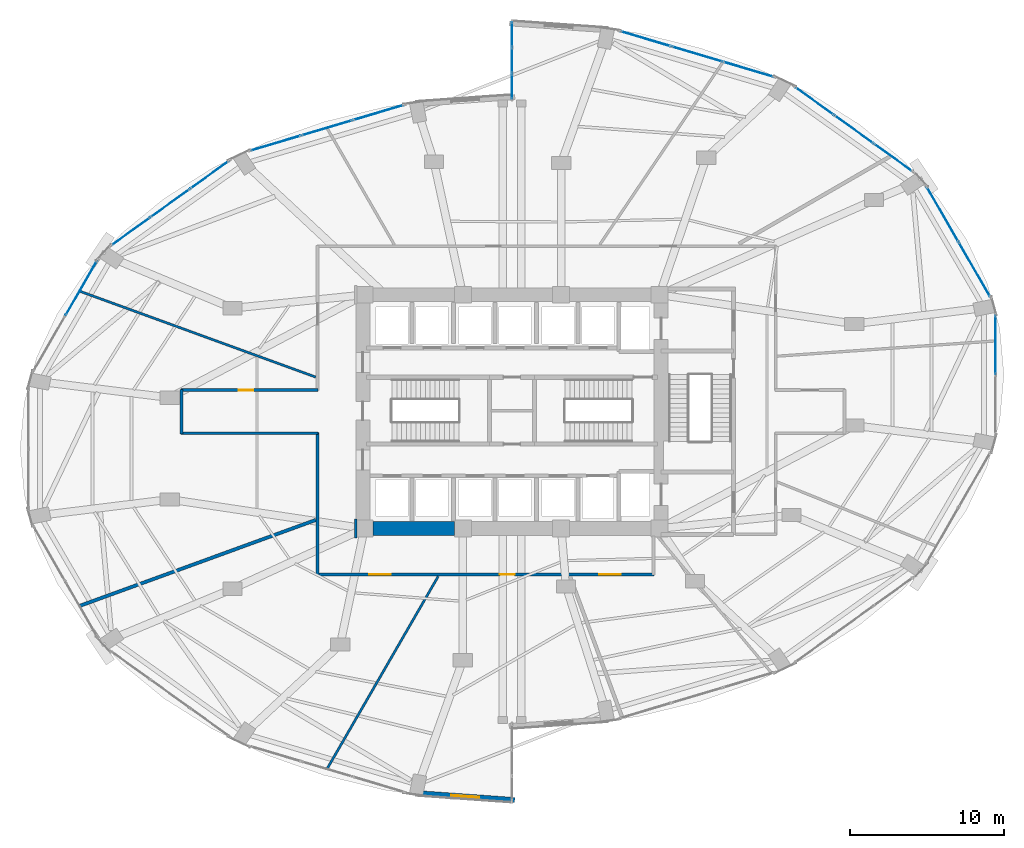
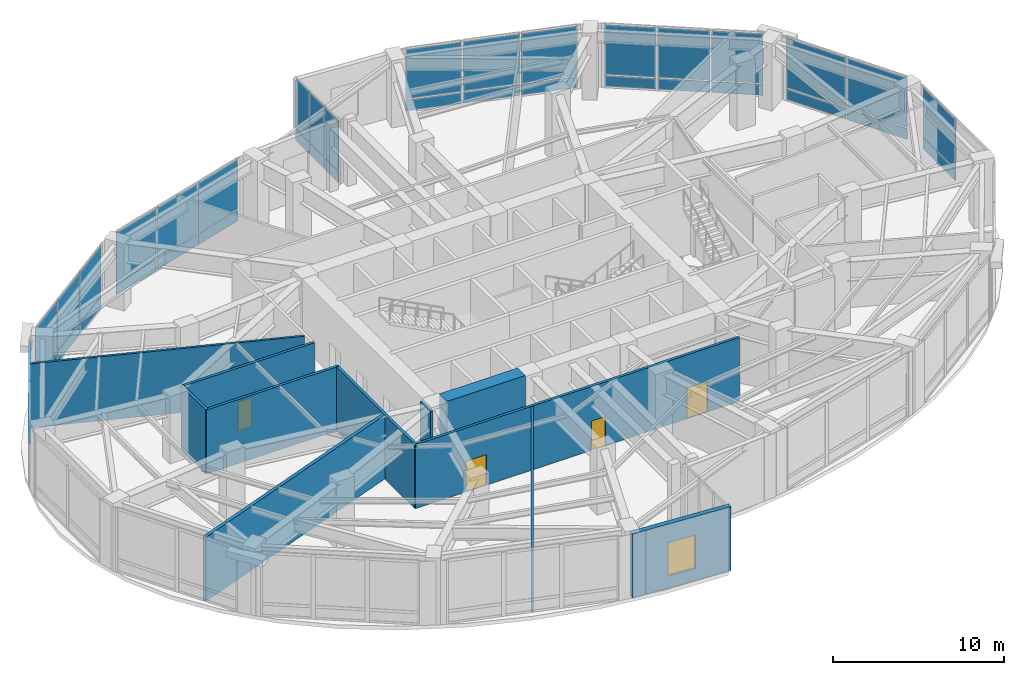
# One storey, part 20 of 24: 38 plates, 11 walls, 4 doors, 1 window, 5 openings, 8 elements without a shape of their own.
"""IFC4 building model written with IfcOpenShell, lengths in metres."""

from ifc_helpers import new_model, si_unit, direction, frame, frame_2d, origin, origin_2d, place, context, subcontext, project, spatial, rectangle, extrude, material, layer, layer_set, type_object, element, fill, aggregate, save


model = new_model("IFC4")

# Units and contexts
model_context = context("Model", 3, precision=1e-05, world=origin(), true_north=direction((0.0, 1.0)))
body_context = subcontext(model_context, "Body", "Model", "MODEL_VIEW")
ifc_project = project(units=[si_unit("LENGTHUNIT", "METRE"), si_unit("AREAUNIT", "SQUARE_METRE"), si_unit("VOLUMEUNIT", "CUBIC_METRE"), si_unit("PLANEANGLEUNIT", "RADIAN"), si_unit("MASSUNIT", "GRAM", prefix="KILO")], contexts=[model_context])

# Site, building, storey
site_placement = place(None, origin())
site = spatial("IfcSite", under=ifc_project, at=site_placement, CompositionType="ELEMENT")
building_placement = place(site_placement, origin())
building = spatial("IfcBuilding", under=site, at=building_placement, Name="Lazwardi Medical Tower", CompositionType="ELEMENT")
storey_placement = place(building_placement, frame((0.0, 0.0, 20.39990234375)))
storey = spatial("IfcBuildingStorey", under=building, at=storey_placement, Name="L04", CompositionType="ELEMENT", Elevation=20.39990234375)

# Curtain wall, plate
ifc_material_1 = material(Name="Anodised bronze aluminium and solar control glazing", Category="aluminium")
ifc_layer_1 = layer(ifc_material_1, 0.219970703125)
ifc_layer_set_1 = layer_set([ifc_layer_1], Name="Anodised bronze aluminium and solar control glazing")
curtain_wall_type_1 = type_object("IfcCurtainWallType", Name="CW-SYS-01", PredefinedType="NOTDEFINED", material=ifc_layer_set_1)
curtain_wall_1_placement = place(storey_placement, origin())
curtain_wall_1 = element("IfcCurtainWall", 1, at=curtain_wall_1_placement, inside=storey, type_object=curtain_wall_type_1, Name="L04 Unitised bronze curtain wall CW-01", PredefinedType="NOTDEFINED")
ifc_material_2 = material(Name="Bronze girih ceramic-frit spandrel glazing", Category="glass")
ifc_layer_2 = layer(ifc_material_2, 0.048095703125)
ifc_layer_set_2 = layer_set([ifc_layer_2], Name="Bronze girih ceramic-frit spandrel glazing")
plate_type_1 = type_object("IfcPlateType", Name="PLT-FRT-01", PredefinedType="CURTAIN_PANEL", material=ifc_layer_set_2)
plate_1_placement = place(storey_placement, frame((67.439697265625, 32.33837890625, 0.085205078125), z_axis=(0.0, 0.0, 1.0), x_axis=(0.0, 1.0, 0.0)))
plate_1 = element("IfcPlate", 2, at=plate_1_placement, type_object=plate_type_1, Name="CW-01 panel 2.1", PredefinedType="CURTAIN_PANEL", context=body_context, shape_type="SweptSolid", body=[
    extrude(rectangle(XDim=3.791748046875, YDim=0.048095703125, at=origin_2d()), origin(), (0.0, 0.0, 1.0), 0.7724609375),
])

# Curtain wall, plates
curtain_wall_2_placement = place(storey_placement, origin())
curtain_wall_2 = element("IfcCurtainWall", 3, at=curtain_wall_2_placement, inside=storey, type_object=curtain_wall_type_1, Name="L04 Unitised bronze curtain wall CW-01", PredefinedType="NOTDEFINED")
plate_2_placement = place(storey_placement, frame((66.080322265625, 37.24609375, 0.085205078125), z_axis=(0.0, 0.0, 1.0), x_axis=(-0.499731082384, 0.866180607783, 0.0)))
plate_2 = element("IfcPlate", 4, at=plate_2_placement, type_object=plate_type_1, Name="CW-01 panel 1.1", PredefinedType="CURTAIN_PANEL", context=body_context, shape_type="SweptSolid", body=[
    extrude(rectangle(XDim=4.052734375, YDim=0.048095703125, at=origin_2d()), origin(), (0.0, 0.0, 1.0), 0.7724609375),
])
plate_3_placement = place(storey_placement, frame((64.012451171875, 40.830078125, 0.085205078125), z_axis=(0.0, 0.0, 1.0), x_axis=(-0.499731082384, 0.866180607783, 0.0)))
plate_3 = element("IfcPlate", 5, at=plate_3_placement, type_object=plate_type_1, Name="CW-01 panel 2.1", PredefinedType="CURTAIN_PANEL", context=body_context, shape_type="SweptSolid", body=[
    extrude(rectangle(XDim=4.052734375, YDim=0.048095703125, at=origin_2d()), origin(), (0.0, 0.0, 1.0), 0.7724609375),
])

curtain_wall_3_placement = place(storey_placement, origin())
curtain_wall_3 = element("IfcCurtainWall", 6, at=curtain_wall_3_placement, inside=storey, type_object=curtain_wall_type_1, Name="L04 Unitised bronze curtain wall CW-01", PredefinedType="NOTDEFINED")
plate_4_placement = place(storey_placement, frame((60.787109375, 44.52587890625, 0.085205078125), z_axis=(0.0, 0.0, 1.0), x_axis=(-0.812318365083, 0.583214260584, 0.0)))
plate_4 = element("IfcPlate", 7, at=plate_4_placement, type_object=plate_type_1, Name="CW-01 panel 1.1", PredefinedType="CURTAIN_PANEL", context=body_context, shape_type="SweptSolid", body=[
    extrude(rectangle(XDim=3.040283203125, YDim=0.048095703125, at=origin_2d()), origin(), (0.0, 0.0, 1.0), 0.7724609375),
])
plate_5_placement = place(storey_placement, frame((58.231201171875, 46.361083984375, 0.085205078125), z_axis=(0.0, 0.0, 1.0), x_axis=(-0.812318365083, 0.583214260584, 0.0)))
plate_5 = element("IfcPlate", 8, at=plate_5_placement, type_object=plate_type_1, Name="CW-01 panel 2.1", PredefinedType="CURTAIN_PANEL", context=body_context, shape_type="SweptSolid", body=[
    extrude(rectangle(XDim=3.082763671875, YDim=0.048095703125, at=origin_2d()), origin(), (0.0, 0.0, 1.0), 0.7724609375),
])
plate_6_placement = place(storey_placement, frame((55.675048828125, 48.196044921875, 0.085205078125), z_axis=(0.0, 0.0, 1.0), x_axis=(-0.812318365083, 0.583214260584, 0.0)))
plate_6 = element("IfcPlate", 9, at=plate_6_placement, type_object=plate_type_1, Name="CW-01 panel 3.1", PredefinedType="CURTAIN_PANEL", context=body_context, shape_type="SweptSolid", body=[
    extrude(rectangle(XDim=3.040283203125, YDim=0.048095703125, at=origin_2d()), origin(), (0.0, 0.0, 1.0), 0.7724609375),
])

curtain_wall_4_placement = place(storey_placement, origin())
curtain_wall_4 = element("IfcCurtainWall", 10, at=curtain_wall_4_placement, inside=storey, type_object=curtain_wall_type_1, Name="L04 Unitised bronze curtain wall CW-01", PredefinedType="NOTDEFINED")
plate_7_placement = place(storey_placement, frame((51.373291015625, 50.26025390625, 0.085205078125), z_axis=(0.0, 0.0, 1.0), x_axis=(-0.958513482597, 0.285047195531, 0.0)))
plate_7 = element("IfcPlate", 11, at=plate_7_placement, type_object=plate_type_1, Name="CW-01 panel 1.1", PredefinedType="CURTAIN_PANEL", context=body_context, shape_type="SweptSolid", body=[
    extrude(rectangle(XDim=3.380126953125, YDim=0.048095703125, at=origin_2d()), origin(), (0.0, 0.0, 1.0), 0.7724609375),
])
plate_8_placement = place(storey_placement, frame((48.031494140625, 51.254150390625, 0.085205078125), z_axis=(0.0, 0.0, 1.0), x_axis=(-0.958513482597, 0.285047195531, 0.0)))
plate_8 = element("IfcPlate", 12, at=plate_8_placement, type_object=plate_type_1, Name="CW-01 panel 2.1", PredefinedType="CURTAIN_PANEL", context=body_context, shape_type="SweptSolid", body=[
    extrude(rectangle(XDim=3.422607421875, YDim=0.048095703125, at=origin_2d()), origin(), (0.0, 0.0, 1.0), 0.7724609375),
])
plate_9_placement = place(storey_placement, frame((44.689453125, 52.247802734375, 0.085205078125), z_axis=(0.0, 0.0, 1.0), x_axis=(-0.958513482597, 0.285047195531, 0.0)))
plate_9 = element("IfcPlate", 13, at=plate_9_placement, type_object=plate_type_1, Name="CW-01 panel 3.1", PredefinedType="CURTAIN_PANEL", context=body_context, shape_type="SweptSolid", body=[
    extrude(rectangle(XDim=3.380126953125, YDim=0.048095703125, at=origin_2d()), origin(), (0.0, 0.0, 1.0), 0.7724609375),
])

curtain_wall_5_placement = place(storey_placement, origin())
curtain_wall_5 = element("IfcCurtainWall", 14, at=curtain_wall_5_placement, inside=storey, type_object=curtain_wall_type_1, Name="L04 Unitised bronze curtain wall CW-01", PredefinedType="NOTDEFINED")
plate_10_placement = place(storey_placement, frame((27.310546875, 47.447998046875, 0.085205078125), z_axis=(0.0, 0.0, 1.0), x_axis=(-0.958513482597, -0.285047195531, 0.0)))
plate_10 = element("IfcPlate", 15, at=plate_10_placement, type_object=plate_type_1, Name="CW-01 panel 1.1", PredefinedType="CURTAIN_PANEL", context=body_context, shape_type="SweptSolid", body=[
    extrude(rectangle(XDim=3.380126953125, YDim=0.048095703125, at=origin_2d()), origin(), (0.0, 0.0, 1.0), 0.7724609375),
])
plate_11_placement = place(storey_placement, frame((23.968505859375, 46.4541015625, 0.085205078125), z_axis=(0.0, 0.0, 1.0), x_axis=(-0.958513482597, -0.285047195531, 0.0)))
plate_11 = element("IfcPlate", 16, at=plate_11_placement, type_object=plate_type_1, Name="CW-01 panel 2.1", PredefinedType="CURTAIN_PANEL", context=body_context, shape_type="SweptSolid", body=[
    extrude(rectangle(XDim=3.422607421875, YDim=0.048095703125, at=origin_2d()), origin(), (0.0, 0.0, 1.0), 0.7724609375),
])
plate_12_placement = place(storey_placement, frame((20.626708984375, 45.460205078125, 0.085205078125), z_axis=(0.0, 0.0, 1.0), x_axis=(-0.958513482597, -0.285047195531, 0.0)))
plate_12 = element("IfcPlate", 17, at=plate_12_placement, type_object=plate_type_1, Name="CW-01 panel 3.1", PredefinedType="CURTAIN_PANEL", context=body_context, shape_type="SweptSolid", body=[
    extrude(rectangle(XDim=3.380126953125, YDim=0.048095703125, at=origin_2d()), origin(), (0.0, 0.0, 1.0), 0.7724609375),
])

curtain_wall_6_placement = place(storey_placement, origin())
curtain_wall_6 = element("IfcCurtainWall", 18, at=curtain_wall_6_placement, inside=storey, type_object=curtain_wall_type_1, Name="L04 Unitised bronze curtain wall CW-01", PredefinedType="NOTDEFINED")
plate_13_placement = place(storey_placement, frame((16.324951171875, 43.396240234375, 0.085205078125), z_axis=(0.0, 0.0, 1.0), x_axis=(-0.812318365083, -0.583214260584, 0.0)))
plate_13 = element("IfcPlate", 19, at=plate_13_placement, type_object=plate_type_1, Name="CW-01 panel 1.1", PredefinedType="CURTAIN_PANEL", context=body_context, shape_type="SweptSolid", body=[
    extrude(rectangle(XDim=3.040283203125, YDim=0.048095703125, at=origin_2d()), origin(), (0.0, 0.0, 1.0), 0.7724609375),
])
plate_14_placement = place(storey_placement, frame((13.768798828125, 41.56103515625, 0.085205078125), z_axis=(0.0, 0.0, 1.0), x_axis=(-0.812318365083, -0.583214260584, 0.0)))
plate_14 = element("IfcPlate", 20, at=plate_14_placement, type_object=plate_type_1, Name="CW-01 panel 2.1", PredefinedType="CURTAIN_PANEL", context=body_context, shape_type="SweptSolid", body=[
    extrude(rectangle(XDim=3.082763671875, YDim=0.048095703125, at=origin_2d()), origin(), (0.0, 0.0, 1.0), 0.7724609375),
])
plate_15_placement = place(storey_placement, frame((11.212890625, 39.725830078125, 0.085205078125), z_axis=(0.0, 0.0, 1.0), x_axis=(-0.812318365083, -0.583214260584, 0.0)))
plate_15 = element("IfcPlate", 21, at=plate_15_placement, type_object=plate_type_1, Name="CW-01 panel 3.1", PredefinedType="CURTAIN_PANEL", context=body_context, shape_type="SweptSolid", body=[
    extrude(rectangle(XDim=3.040283203125, YDim=0.048095703125, at=origin_2d()), origin(), (0.0, 0.0, 1.0), 0.7724609375),
])

# Curtain wall, plate
curtain_wall_7_placement = place(storey_placement, origin())
curtain_wall_7 = element("IfcCurtainWall", 22, at=curtain_wall_7_placement, inside=storey, type_object=curtain_wall_type_1, Name="L04 Unitised bronze curtain wall CW-01", PredefinedType="NOTDEFINED")
plate_16_placement = place(storey_placement, frame((7.987548828125, 36.030029296875, 0.085205078125), z_axis=(0.0, 0.0, 1.0), x_axis=(-0.499731082384, -0.866180607783, 0.0)))
plate_16 = element("IfcPlate", 23, at=plate_16_placement, type_object=plate_type_1, Name="CW-01 panel 1.1", PredefinedType="CURTAIN_PANEL", context=body_context, shape_type="SweptSolid", body=[
    extrude(rectangle(XDim=4.052734375, YDim=0.048095703125, at=origin_2d()), origin(), (0.0, 0.0, 1.0), 0.7724609375),
])

# Plate
ifc_material_3 = material(Name="Laminated acoustic bronze double glazing", Category="glass")
ifc_layer_3 = layer(ifc_material_3, 0.0419921875)
ifc_layer_set_3 = layer_set([ifc_layer_3], Name="Laminated acoustic bronze double glazing")
plate_type_2 = type_object("IfcPlateType", Name="PLT-GLZ-02", PredefinedType="CURTAIN_PANEL", material=ifc_layer_set_3)
plate_17_placement = place(storey_placement, frame((67.439697265625, 32.33837890625, 0.9423828125), z_axis=(0.0, 0.0, 1.0), x_axis=(0.0, 1.0, 0.0)))
plate_17 = element("IfcPlate", 24, at=plate_17_placement, type_object=plate_type_2, Name="CW-01 panel 2.2", PredefinedType="CURTAIN_PANEL", context=body_context, shape_type="SweptSolid", body=[
    extrude(rectangle(XDim=3.791748046875, YDim=0.0419921875, at=origin_2d()), origin(), (0.0, 0.0, 1.0), 3.552490234375),
])

aggregate(curtain_wall_1, [plate_1, plate_17])

plate_18_placement = place(storey_placement, frame((66.080322265625, 37.24609375, 0.9423828125), z_axis=(0.0, 0.0, 1.0), x_axis=(-0.499731082384, 0.866180607783, 0.0)))
plate_18 = element("IfcPlate", 25, at=plate_18_placement, type_object=plate_type_2, Name="CW-01 panel 1.2", PredefinedType="CURTAIN_PANEL", context=body_context, shape_type="SweptSolid", body=[
    extrude(rectangle(XDim=4.052734375, YDim=0.0419921875, at=origin_2d()), origin(), (0.0, 0.0, 1.0), 3.552490234375),
])

plate_19_placement = place(storey_placement, frame((64.012451171875, 40.830078125, 0.9423828125), z_axis=(0.0, 0.0, 1.0), x_axis=(-0.499731082384, 0.866180607783, 0.0)))
plate_19 = element("IfcPlate", 26, at=plate_19_placement, type_object=plate_type_2, Name="CW-01 panel 2.2", PredefinedType="CURTAIN_PANEL", context=body_context, shape_type="SweptSolid", body=[
    extrude(rectangle(XDim=4.052734375, YDim=0.0419921875, at=origin_2d()), origin(), (0.0, 0.0, 1.0), 3.552490234375),
])

aggregate(curtain_wall_2, [plate_2, plate_18, plate_3, plate_19])

plate_20_placement = place(storey_placement, frame((60.787109375, 44.52587890625, 0.9423828125), z_axis=(0.0, 0.0, 1.0), x_axis=(-0.812318365083, 0.583214260584, 0.0)))
plate_20 = element("IfcPlate", 27, at=plate_20_placement, type_object=plate_type_2, Name="CW-01 panel 1.2", PredefinedType="CURTAIN_PANEL", context=body_context, shape_type="SweptSolid", body=[
    extrude(rectangle(XDim=3.040283203125, YDim=0.0419921875, at=origin_2d()), origin(), (0.0, 0.0, 1.0), 3.552490234375),
])

plate_21_placement = place(storey_placement, frame((58.231201171875, 46.361083984375, 0.9423828125), z_axis=(0.0, 0.0, 1.0), x_axis=(-0.812318365083, 0.583214260584, 0.0)))
plate_21 = element("IfcPlate", 28, at=plate_21_placement, type_object=plate_type_2, Name="CW-01 panel 2.2", PredefinedType="CURTAIN_PANEL", context=body_context, shape_type="SweptSolid", body=[
    extrude(rectangle(XDim=3.082763671875, YDim=0.0419921875, at=origin_2d()), origin(), (0.0, 0.0, 1.0), 3.552490234375),
])

plate_22_placement = place(storey_placement, frame((55.675048828125, 48.196044921875, 0.9423828125), z_axis=(0.0, 0.0, 1.0), x_axis=(-0.812318365083, 0.583214260584, 0.0)))
plate_22 = element("IfcPlate", 29, at=plate_22_placement, type_object=plate_type_2, Name="CW-01 panel 3.2", PredefinedType="CURTAIN_PANEL", context=body_context, shape_type="SweptSolid", body=[
    extrude(rectangle(XDim=3.040283203125, YDim=0.0419921875, at=origin_2d()), origin(), (0.0, 0.0, 1.0), 3.552490234375),
])

aggregate(curtain_wall_3, [plate_4, plate_20, plate_5, plate_21, plate_6, plate_22])

plate_23_placement = place(storey_placement, frame((51.373291015625, 50.26025390625, 0.9423828125), z_axis=(0.0, 0.0, 1.0), x_axis=(-0.958513482597, 0.285047195531, 0.0)))
plate_23 = element("IfcPlate", 30, at=plate_23_placement, type_object=plate_type_2, Name="CW-01 panel 1.2", PredefinedType="CURTAIN_PANEL", context=body_context, shape_type="SweptSolid", body=[
    extrude(rectangle(XDim=3.380126953125, YDim=0.0419921875, at=origin_2d()), origin(), (0.0, 0.0, 1.0), 3.552490234375),
])

plate_24_placement = place(storey_placement, frame((48.031494140625, 51.254150390625, 0.9423828125), z_axis=(0.0, 0.0, 1.0), x_axis=(-0.958513482597, 0.285047195531, 0.0)))
plate_24 = element("IfcPlate", 31, at=plate_24_placement, type_object=plate_type_2, Name="CW-01 panel 2.2", PredefinedType="CURTAIN_PANEL", context=body_context, shape_type="SweptSolid", body=[
    extrude(rectangle(XDim=3.422607421875, YDim=0.0419921875, at=origin_2d()), origin(), (0.0, 0.0, 1.0), 3.552490234375),
])

plate_25_placement = place(storey_placement, frame((44.689453125, 52.247802734375, 0.9423828125), z_axis=(0.0, 0.0, 1.0), x_axis=(-0.958513482597, 0.285047195531, 0.0)))
plate_25 = element("IfcPlate", 32, at=plate_25_placement, type_object=plate_type_2, Name="CW-01 panel 3.2", PredefinedType="CURTAIN_PANEL", context=body_context, shape_type="SweptSolid", body=[
    extrude(rectangle(XDim=3.380126953125, YDim=0.0419921875, at=origin_2d()), origin(), (0.0, 0.0, 1.0), 3.552490234375),
])

aggregate(curtain_wall_4, [plate_7, plate_23, plate_8, plate_24, plate_9, plate_25])

plate_26_placement = place(storey_placement, frame((27.310546875, 47.447998046875, 0.9423828125), z_axis=(0.0, 0.0, 1.0), x_axis=(-0.958513482597, -0.285047195531, 0.0)))
plate_26 = element("IfcPlate", 33, at=plate_26_placement, type_object=plate_type_2, Name="CW-01 panel 1.2", PredefinedType="CURTAIN_PANEL", context=body_context, shape_type="SweptSolid", body=[
    extrude(rectangle(XDim=3.380126953125, YDim=0.0419921875, at=origin_2d()), origin(), (0.0, 0.0, 1.0), 3.552490234375),
])

plate_27_placement = place(storey_placement, frame((23.968505859375, 46.4541015625, 0.9423828125), z_axis=(0.0, 0.0, 1.0), x_axis=(-0.958513482597, -0.285047195531, 0.0)))
plate_27 = element("IfcPlate", 34, at=plate_27_placement, type_object=plate_type_2, Name="CW-01 panel 2.2", PredefinedType="CURTAIN_PANEL", context=body_context, shape_type="SweptSolid", body=[
    extrude(rectangle(XDim=3.422607421875, YDim=0.0419921875, at=origin_2d()), origin(), (0.0, 0.0, 1.0), 3.552490234375),
])

plate_28_placement = place(storey_placement, frame((20.626708984375, 45.460205078125, 0.9423828125), z_axis=(0.0, 0.0, 1.0), x_axis=(-0.958513482597, -0.285047195531, 0.0)))
plate_28 = element("IfcPlate", 35, at=plate_28_placement, type_object=plate_type_2, Name="CW-01 panel 3.2", PredefinedType="CURTAIN_PANEL", context=body_context, shape_type="SweptSolid", body=[
    extrude(rectangle(XDim=3.380126953125, YDim=0.0419921875, at=origin_2d()), origin(), (0.0, 0.0, 1.0), 3.552490234375),
])

aggregate(curtain_wall_5, [plate_10, plate_26, plate_11, plate_27, plate_12, plate_28])

plate_29_placement = place(storey_placement, frame((16.324951171875, 43.396240234375, 0.9423828125), z_axis=(0.0, 0.0, 1.0), x_axis=(-0.812318365083, -0.583214260584, 0.0)))
plate_29 = element("IfcPlate", 36, at=plate_29_placement, type_object=plate_type_2, Name="CW-01 panel 1.2", PredefinedType="CURTAIN_PANEL", context=body_context, shape_type="SweptSolid", body=[
    extrude(rectangle(XDim=3.040283203125, YDim=0.0419921875, at=origin_2d()), origin(), (0.0, 0.0, 1.0), 3.552490234375),
])

plate_30_placement = place(storey_placement, frame((13.768798828125, 41.56103515625, 0.9423828125), z_axis=(0.0, 0.0, 1.0), x_axis=(-0.812318365083, -0.583214260584, 0.0)))
plate_30 = element("IfcPlate", 37, at=plate_30_placement, type_object=plate_type_2, Name="CW-01 panel 2.2", PredefinedType="CURTAIN_PANEL", context=body_context, shape_type="SweptSolid", body=[
    extrude(rectangle(XDim=3.082763671875, YDim=0.0419921875, at=origin_2d()), origin(), (0.0, 0.0, 1.0), 3.552490234375),
])

plate_31_placement = place(storey_placement, frame((11.212890625, 39.725830078125, 0.9423828125), z_axis=(0.0, 0.0, 1.0), x_axis=(-0.812318365083, -0.583214260584, 0.0)))
plate_31 = element("IfcPlate", 38, at=plate_31_placement, type_object=plate_type_2, Name="CW-01 panel 3.2", PredefinedType="CURTAIN_PANEL", context=body_context, shape_type="SweptSolid", body=[
    extrude(rectangle(XDim=3.040283203125, YDim=0.0419921875, at=origin_2d()), origin(), (0.0, 0.0, 1.0), 3.552490234375),
])

aggregate(curtain_wall_6, [plate_13, plate_29, plate_14, plate_30, plate_15, plate_31])

plate_32_placement = place(storey_placement, frame((7.987548828125, 36.030029296875, 0.9423828125), z_axis=(0.0, 0.0, 1.0), x_axis=(-0.499731082384, -0.866180607783, 0.0)))
plate_32 = element("IfcPlate", 39, at=plate_32_placement, type_object=plate_type_2, Name="CW-01 panel 1.2", PredefinedType="CURTAIN_PANEL", context=body_context, shape_type="SweptSolid", body=[
    extrude(rectangle(XDim=4.052734375, YDim=0.0419921875, at=origin_2d()), origin(), (0.0, 0.0, 1.0), 3.552490234375),
])

aggregate(curtain_wall_7, [plate_16, plate_32])

# Curtain wall, plates
ifc_layer_4 = layer(ifc_material_1, 0.2099609375)
ifc_layer_set_4 = layer_set([ifc_layer_4], Name="Anodised bronze aluminium and solar control glazing")
curtain_wall_type_2 = type_object("IfcCurtainWallType", Name="CW-SYS-06", PredefinedType="NOTDEFINED", material=ifc_layer_set_4)
curtain_wall_8_placement = place(storey_placement, origin())
curtain_wall_8 = element("IfcCurtainWall", 40, at=curtain_wall_8_placement, inside=storey, type_object=curtain_wall_type_2, Name="L04 Unitised bronze curtain wall CW-06", PredefinedType="NOTDEFINED")
ifc_material_4 = material(Name="Turquoise glazed ceramic insulated panel", Category="glass")
ifc_layer_5 = layer(ifc_material_4, 0.053955078125)
ifc_layer_set_5 = layer_set([ifc_layer_5], Name="Turquoise glazed ceramic insulated panel")
plate_type_3 = type_object("IfcPlateType", Name="PLT-TRQ-01", PredefinedType="CURTAIN_PANEL", material=ifc_layer_set_5)
plate_33_placement = place(storey_placement, frame((36.0, 52.52783203125, 0.074951171875), z_axis=(0.0, 0.0, 1.0), x_axis=(0.0, -1.0, 0.0)))
plate_33 = element("IfcPlate", 41, at=plate_33_placement, type_object=plate_type_3, Name="CW-06 panel 1.1", PredefinedType="CURTAIN_PANEL", context=body_context, shape_type="SweptSolid", body=[
    extrude(rectangle(XDim=1.59423828125, YDim=0.053955078125, at=origin_2d()), origin(), (0.0, 0.0, 1.0), 0.78759765625),
])
plate_34_placement = place(storey_placement, frame((36.0, 52.52783203125, 0.937744140625), z_axis=(0.0, 0.0, 1.0), x_axis=(0.0, -1.0, 0.0)))
plate_34 = element("IfcPlate", 42, at=plate_34_placement, type_object=plate_type_3, Name="CW-06 panel 1.2", PredefinedType="CURTAIN_PANEL", context=body_context, shape_type="SweptSolid", body=[
    extrude(rectangle(XDim=1.59423828125, YDim=0.053955078125, at=origin_2d()), origin(), (0.0, 0.0, 1.0), 3.5673828125),
])
plate_35_placement = place(storey_placement, frame((36.0, 50.840087890625, 0.074951171875), z_axis=(0.0, 0.0, 1.0), x_axis=(0.0, -1.0, 0.0)))
plate_35 = element("IfcPlate", 43, at=plate_35_placement, type_object=plate_type_3, Name="CW-06 panel 2.1", PredefinedType="CURTAIN_PANEL", context=body_context, shape_type="SweptSolid", body=[
    extrude(rectangle(XDim=1.631591796875, YDim=0.053955078125, at=origin_2d()), origin(), (0.0, 0.0, 1.0), 0.78759765625),
])
plate_36_placement = place(storey_placement, frame((36.0, 50.840087890625, 0.937744140625), z_axis=(0.0, 0.0, 1.0), x_axis=(0.0, -1.0, 0.0)))
plate_36 = element("IfcPlate", 44, at=plate_36_placement, type_object=plate_type_3, Name="CW-06 panel 2.2", PredefinedType="CURTAIN_PANEL", context=body_context, shape_type="SweptSolid", body=[
    extrude(rectangle(XDim=1.631591796875, YDim=0.053955078125, at=origin_2d()), origin(), (0.0, 0.0, 1.0), 3.5673828125),
])
plate_37_placement = place(storey_placement, frame((36.0, 49.152099609375, 0.074951171875), z_axis=(0.0, 0.0, 1.0), x_axis=(0.0, -1.0, 0.0)))
plate_37 = element("IfcPlate", 45, at=plate_37_placement, type_object=plate_type_3, Name="CW-06 panel 3.1", PredefinedType="CURTAIN_PANEL", context=body_context, shape_type="SweptSolid", body=[
    extrude(rectangle(XDim=1.59423828125, YDim=0.053955078125, at=origin_2d()), origin(), (0.0, 0.0, 1.0), 0.78759765625),
])
plate_38_placement = place(storey_placement, frame((36.0, 49.152099609375, 0.937744140625), z_axis=(0.0, 0.0, 1.0), x_axis=(0.0, -1.0, 0.0)))
plate_38 = element("IfcPlate", 46, at=plate_38_placement, type_object=plate_type_3, Name="CW-06 panel 3.2", PredefinedType="CURTAIN_PANEL", context=body_context, shape_type="SweptSolid", body=[
    extrude(rectangle(XDim=1.59423828125, YDim=0.053955078125, at=origin_2d()), origin(), (0.0, 0.0, 1.0), 3.5673828125),
])
aggregate(curtain_wall_8, [plate_33, plate_34, plate_35, plate_36, plate_37, plate_38])

# Wall
ifc_material_5 = material(Name="Fire-rated gypsum board on steel stud", Category="steel")
ifc_layer_6 = layer(ifc_material_5, 0.179931640625)
ifc_layer_set_6 = layer_set([ifc_layer_6], Name="Fire-rated gypsum board on steel stud")
wall_type_1 = type_object("IfcWallType", Name="WL-COR-180", PredefinedType="PARTITIONING", material=ifc_layer_set_6)
wall_1_placement = place(storey_placement, frame((14.5, 26.56005859375, 0.0), z_axis=(0.0, 0.0, 1.0), x_axis=(0.0, 1.0, 0.0)))
element("IfcWall", 47, at=wall_1_placement, inside=storey, type_object=wall_type_1, Name="L04 Corridor partition 1", PredefinedType="PARTITIONING", context=body_context, shape_type="SweptSolid", body=[
    extrude(rectangle(XDim=2.8798828125, YDim=0.179931640625, at=frame_2d((1.43994140625, 0.0))), origin(), (0.0, 0.0, 1.0), 4.580078125),
])

# Wall, opening, door
wall_2_placement = place(storey_placement, frame((14.4599609375, 29.39990234375, 0.0), z_axis=(0.0, 0.0, 1.0), x_axis=(1.0, 0.0, 0.0)))
wall_2 = element("IfcWall", 48, at=wall_2_placement, inside=storey, type_object=wall_type_1, Name="L04 Corridor partition 2", PredefinedType="PARTITIONING", context=body_context, shape_type="SweptSolid", body=[
    extrude(rectangle(XDim=8.929931640625, YDim=0.179931640625, at=frame_2d((4.46484375, 0.0))), origin(), (0.0, 0.0, 1.0), 4.580078125),
])
opening_1_placement = place(wall_2_placement, frame((3.764892578125, 0.0, 0.0)))
opening_1 = element("IfcOpeningElement", 49, at=opening_1_placement, cuts=wall_2, Name="Opening D-L04-007", PredefinedType="OPENING", context=body_context, shape_type="SweptSolid", body=[
    extrude(rectangle(XDim=0.949951171875, YDim=2.10009765625, at=frame_2d((0.47509765625, 1.050048828125))), frame((0.0, 0.099853515625, 0.0), z_axis=(0.0, -1.0, 0.0), x_axis=(1.0, 0.0, 0.0)), (0.0, 0.0, 1.0), 0.199951171875),
])
ifc_material_6 = material(Name="Moisture-resistant laminate door leaf")
door_type_1 = type_object("IfcDoorType", Name="DR-ENS-950", OperationType="NOTDEFINED", PredefinedType="DOOR", material=ifc_material_6)
door_1_placement = place(opening_1_placement, origin())
door_1 = element("IfcDoor", 50, at=door_1_placement, inside=storey, type_object=door_type_1, Name="L04 Operating Theatre Door 01", OperationType="SINGLE_SWING_LEFT", OverallHeight=2.10009765625, OverallWidth=0.949951171875, PredefinedType="DOOR", context=body_context, shape_type="SweptSolid", body=[
    extrude(rectangle(XDim=0.949951171875, YDim=2.10009765625, at=frame_2d((0.47509765625, 1.050048828125))), frame((0.0, 0.02490234375, 0.0), z_axis=(0.0, -1.0, 0.0), x_axis=(1.0, 0.0, 0.0)), (0.0, 0.0, 1.0), 0.050048828125),
])
fill(opening_1, door_1)

# Wall
wall_3_placement = place(storey_placement, frame((25.830078125, 21.010009765625, 0.0), z_axis=(0.0, 0.0, 1.0), x_axis=(0.0, -1.0, 0.0)))
element("IfcWall", 51, at=wall_3_placement, inside=storey, type_object=wall_type_1, Name="L04 Corridor partition 12", PredefinedType="PARTITIONING", context=body_context, shape_type="SweptSolid", body=[
    extrude(rectangle(XDim=1.219970703125, YDim=0.179931640625, at=frame_2d((0.60986328125, 0.0))), origin(), (0.0, 0.0, 1.0), 4.580078125),
])

# Wall, openings, doors
wall_4_placement = place(storey_placement, frame((45.239990234375, 17.39990234375, 0.0), z_axis=(0.0, 0.0, 1.0), x_axis=(-1.0, 0.0, 0.0)))
wall_4 = element("IfcWall", 52, at=wall_4_placement, inside=storey, type_object=wall_type_1, Name="L04 Corridor partition 14", PredefinedType="PARTITIONING", context=body_context, shape_type="SweptSolid", body=[
    extrude(rectangle(XDim=21.929931640625, YDim=0.179931640625, at=frame_2d((10.96484375, 0.0))), origin(), (0.0, 0.0, 1.0), 4.580078125),
])
opening_2_placement = place(wall_4_placement, frame((17.127197265625, 0.0, 0.0)))
opening_2 = element("IfcOpeningElement", 53, at=opening_2_placement, cuts=wall_4, Name="Opening D-L04-008", PredefinedType="OPENING", context=body_context, shape_type="SweptSolid", body=[
    extrude(rectangle(XDim=1.39990234375, YDim=2.199951171875, at=frame_2d((0.699951171875, 1.10009765625))), frame((0.0, 0.099853515625, 0.0), z_axis=(0.0, -1.0, 0.0), x_axis=(1.0, 0.0, 0.0)), (0.0, 0.0, 1.0), 0.199951171875),
])
opening_3_placement = place(wall_4_placement, frame((9.0712890625, 0.0, 0.0)))
opening_3 = element("IfcOpeningElement", 54, at=opening_3_placement, cuts=wall_4, Name="Opening D-L04-009", PredefinedType="OPENING", context=body_context, shape_type="SweptSolid", body=[
    extrude(rectangle(XDim=0.949951171875, YDim=2.10009765625, at=frame_2d((0.47509765625, 1.050048828125))), frame((0.0, 0.099853515625, 0.0), z_axis=(0.0, -1.0, 0.0), x_axis=(1.0, 0.0, 0.0)), (0.0, 0.0, 1.0), 0.199951171875),
])
opening_4_placement = place(wall_4_placement, frame((2.1767578125, 0.0, 0.0)))
opening_4 = element("IfcOpeningElement", 55, at=opening_4_placement, cuts=wall_4, Name="Opening D-L04-010", PredefinedType="OPENING", context=body_context, shape_type="SweptSolid", body=[
    extrude(rectangle(XDim=1.39990234375, YDim=2.199951171875, at=frame_2d((0.699951171875, 1.10009765625))), frame((0.0, 0.099853515625, 0.0), z_axis=(0.0, -1.0, 0.0), x_axis=(1.0, 0.0, 0.0)), (0.0, 0.0, 1.0), 0.199951171875),
])
ifc_material_7 = material(Name="Anti-microbial laminate hospital leaf")
door_type_2 = type_object("IfcDoorType", Name="DR-BED-1400", OperationType="NOTDEFINED", PredefinedType="DOOR", material=ifc_material_7)
door_2_placement = place(opening_2_placement, origin())
door_2 = element("IfcDoor", 56, at=door_2_placement, inside=storey, type_object=door_type_2, Name="L04 Sterile Preparation Room Door 02", OperationType="SINGLE_SWING_RIGHT", OverallHeight=2.199951171875, OverallWidth=1.39990234375, PredefinedType="DOOR", context=body_context, shape_type="SweptSolid", body=[
    extrude(rectangle(XDim=1.39990234375, YDim=2.199951171875, at=frame_2d((0.699951171875, 1.10009765625))), frame((0.0, 0.02490234375, 0.0), z_axis=(0.0, -1.0, 0.0), x_axis=(1.0, 0.0, 0.0)), (0.0, 0.0, 1.0), 0.050048828125),
])
fill(opening_2, door_2)
door_3_placement = place(opening_4_placement, origin())
door_3 = element("IfcDoor", 57, at=door_3_placement, inside=storey, type_object=door_type_2, Name="L04 Surgical Intensive Care Unit Door 04", OperationType="SINGLE_SWING_RIGHT", OverallHeight=2.199951171875, OverallWidth=1.39990234375, PredefinedType="DOOR", context=body_context, shape_type="SweptSolid", body=[
    extrude(rectangle(XDim=1.39990234375, YDim=2.199951171875, at=frame_2d((0.699951171875, 1.10009765625))), frame((0.0, 0.02490234375, 0.0), z_axis=(0.0, -1.0, 0.0), x_axis=(1.0, 0.0, 0.0)), (0.0, 0.0, 1.0), 0.050048828125),
])
fill(opening_4, door_3)
door_4_placement = place(opening_3_placement, origin())
door_4 = element("IfcDoor", 58, at=door_4_placement, inside=storey, type_object=door_type_1, Name="L04 Operating Theatre Door 03", OperationType="SINGLE_SWING_LEFT", OverallHeight=2.10009765625, OverallWidth=0.949951171875, PredefinedType="DOOR", context=body_context, shape_type="SweptSolid", body=[
    extrude(rectangle(XDim=0.949951171875, YDim=2.10009765625, at=frame_2d((0.47509765625, 1.050048828125))), frame((0.0, 0.02490234375, 0.0), z_axis=(0.0, -1.0, 0.0), x_axis=(1.0, 0.0, 0.0)), (0.0, 0.0, 1.0), 0.050048828125),
])
fill(opening_3, door_4)

# Walls
wall_5_placement = place(storey_placement, frame((23.35009765625, 17.360107421875, 0.0), z_axis=(0.0, 0.0, 1.0), x_axis=(0.0, 1.0, 0.0)))
element("IfcWall", 59, at=wall_5_placement, inside=storey, type_object=wall_type_1, Name="L04 Corridor partition 15", PredefinedType="PARTITIONING", context=body_context, shape_type="SweptSolid", body=[
    extrude(rectangle(XDim=9.27978515625, YDim=0.179931640625, at=frame_2d((4.639892578125, 0.0))), origin(), (0.0, 0.0, 1.0), 4.580078125),
])
wall_6_placement = place(storey_placement, frame((23.389892578125, 26.60009765625, 0.0), z_axis=(0.0, 0.0, 1.0), x_axis=(-1.0, 0.0, 0.0)))
element("IfcWall", 60, at=wall_6_placement, inside=storey, type_object=wall_type_1, Name="L04 Corridor partition 16", PredefinedType="PARTITIONING", context=body_context, shape_type="SweptSolid", body=[
    extrude(rectangle(XDim=8.929931640625, YDim=0.179931640625, at=frame_2d((4.46484375, 0.0))), origin(), (0.0, 0.0, 1.0), 4.580078125),
])
ifc_material_8 = material(Name="Concrete C80/95", Category="concrete")
ifc_layer_7 = layer(ifc_material_8, 0.89990234375)
ifc_layer_set_7 = layer_set([ifc_layer_7], Name="Concrete C80/95")
wall_type_2 = type_object("IfcWallType", Name="WL-CORE-900", PredefinedType="SHEAR", material=ifc_layer_set_7)
wall_7_placement = place(storey_placement, frame((26.949951171875, 20.39990234375, 0.0), z_axis=(0.0, 0.0, 1.0), x_axis=(1.0, 0.0, 0.0)))
element("IfcWall", 61, at=wall_7_placement, inside=storey, type_object=wall_type_2, Name="Core wall CW-S1 S1 L04", PredefinedType="SHEAR", context=body_context, shape_type="SweptSolid", body=[
    extrude(rectangle(XDim=5.300048828125, YDim=0.89990234375, at=frame_2d((2.64990234375, 0.0))), origin(), (0.0, 0.0, 1.0), 4.800048828125),
])

# Wall, opening, window
ifc_material_9 = material(Name="Precast concrete C45/55", Category="concrete")
ifc_layer_8 = layer(ifc_material_9, 0.320068359375)
ifc_layer_set_8 = layer_set([ifc_layer_8], Name="Precast concrete C45/55")
wall_type_3 = type_object("IfcWallType", Name="WL-IWAN-320", PredefinedType="SOLIDWALL", material=ifc_layer_set_8)
wall_8_placement = place(storey_placement, frame((29.73828125, 3.202392578125, 0.0), z_axis=(0.0, 0.0, 1.0), x_axis=(0.997513108184, -0.070481196075, 0.0)))
wall_8 = element("IfcWall", 62, at=wall_8_placement, inside=storey, type_object=wall_type_3, Name="L04 Iwan Portal Return Wall SW_ret", PredefinedType="SOLIDWALL", context=body_context, shape_type="SweptSolid", body=[
    extrude(rectangle(XDim=6.456787109375, YDim=0.320068359375, at=frame_2d((3.228515625, 0.0))), origin(), (0.0, 0.0, 1.0), 4.580078125),
])
opening_5_placement = place(wall_8_placement, frame((2.328369140625, 0.0, 0.85009765625)))
opening_5 = element("IfcOpeningElement", 63, at=opening_5_placement, cuts=wall_8, Name="Opening WN-03", PredefinedType="OPENING", context=body_context, shape_type="SweptSolid", body=[
    extrude(rectangle(XDim=1.800048828125, YDim=2.39990234375, at=frame_2d((0.89990234375, 1.199951171875))), frame((0.0, 0.169921875, 0.0), z_axis=(0.0, -1.0, 0.0), x_axis=(1.0, 0.0, 0.0)), (0.0, 0.0, 1.0), 0.340087890625),
])
window_type = type_object("IfcWindowType", Name="WIN-POD-1800", PartitioningType="SINGLE_PANEL", PredefinedType="WINDOW", material=ifc_material_3)
window_placement = place(opening_5_placement, origin())
window = element("IfcWindow", 64, at=window_placement, inside=storey, type_object=window_type, Name="L04 Iwan Slot Window SW_ret", OverallHeight=2.39990234375, OverallWidth=1.800048828125, PartitioningType="SINGLE_PANEL", PredefinedType="WINDOW", context=body_context, shape_type="SweptSolid", body=[
    extrude(rectangle(XDim=1.800048828125, YDim=2.39990234375, at=frame_2d((0.89990234375, 1.199951171875))), frame((0.0, 0.030029296875, 0.0), z_axis=(0.0, -1.0, 0.0), x_axis=(1.0, 0.0, 0.0)), (0.0, 0.0, 1.0), 0.06005859375),
])
fill(opening_5, window)

# Walls
ifc_layer_9 = layer(ifc_material_5, 0.219970703125)
ifc_layer_set_9 = layer_set([ifc_layer_9], Name="Fire-rated gypsum board on steel stud")
wall_type_4 = type_object("IfcWallType", Name="WL-SMK-220", PredefinedType="PARTITIONING", material=ifc_layer_set_9)
wall_9_placement = place(storey_placement, frame((23.238525390625, 20.955078125, 0.0), z_axis=(0.0, 0.0, 1.0), x_axis=(-0.939696131956, -0.342010496311, 0.0)))
element("IfcWall", 65, at=wall_9_placement, inside=storey, type_object=wall_type_4, Name="L04 Room partition 9", PredefinedType="PARTITIONING", context=body_context, shape_type="SweptSolid", body=[
    extrude(rectangle(XDim=16.3447265625, YDim=0.219970703125, at=frame_2d((8.17236328125, 0.0))), origin(), (0.0, 0.0, 1.0), 4.580078125),
])
ifc_material_10 = material(Name="Acoustic gypsum board partition")
ifc_layer_10 = layer(ifc_material_10, 0.14990234375)
ifc_layer_set_10 = layer_set([ifc_layer_10], Name="Acoustic gypsum board partition")
wall_type_5 = type_object("IfcWallType", Name="WL-WRD-150", PredefinedType="PARTITIONING", material=ifc_layer_set_10)
wall_10_placement = place(storey_placement, frame((23.238525390625, 30.244873046875, 0.0), z_axis=(0.0, 0.0, 1.0), x_axis=(-0.939691331374, 0.342023685934, 0.0)))
element("IfcWall", 66, at=wall_10_placement, inside=storey, type_object=wall_type_5, Name="L04 Room partition 8", PredefinedType="PARTITIONING", context=body_context, shape_type="SweptSolid", body=[
    extrude(rectangle(XDim=16.344970703125, YDim=0.14990234375, at=frame_2d((8.17236328125, 0.0))), origin(), (0.0, 0.0, 1.0), 4.580078125),
])
wall_11_placement = place(storey_placement, frame((31.2041015625, 17.29296875, 0.0), z_axis=(0.0, 0.0, 1.0), x_axis=(-0.500008108359, -0.866020722371, 0.0)))
element("IfcWall", 67, at=wall_11_placement, inside=storey, type_object=wall_type_5, Name="L04 Room partition 10", PredefinedType="PARTITIONING", context=body_context, shape_type="SweptSolid", body=[
    extrude(rectangle(XDim=14.475830078125, YDim=0.14990234375, at=frame_2d((7.23779296875, 0.0))), origin(), (0.0, 0.0, 1.0), 4.580078125),
])

save(model, "model.ifc")
